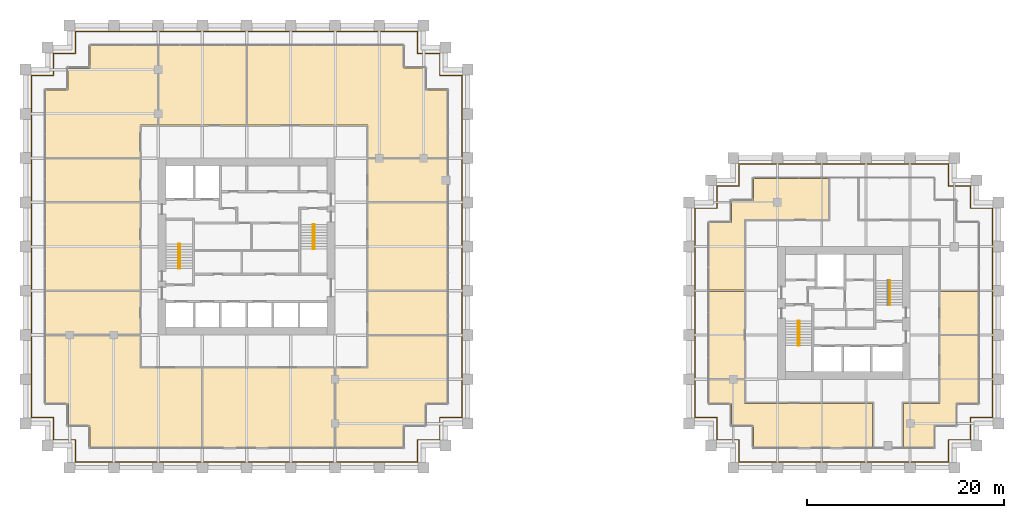
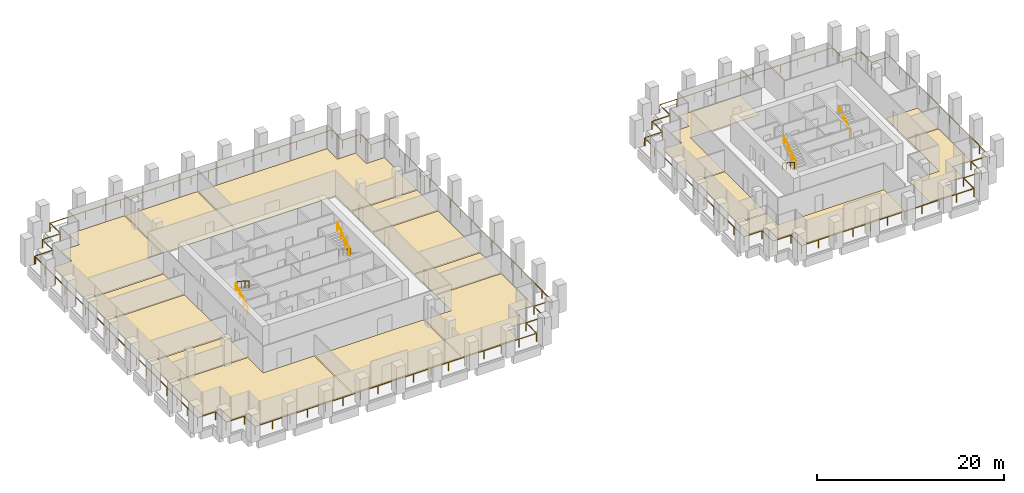
# One storey, part 55 of 56: 17 coverings, 9 railings.
"""IFC4 building model written with IfcOpenShell, lengths in metres."""

from ifc_helpers import new_model, si_unit, direction, frame, origin, origin_2d, place, context, subcontext, project, spatial, polyline, circle, outline, extrude, source, transform, mapped, material, layer, layer_set, type_object, element, save


model = new_model("IFC4")

# Units and contexts
model_context = context("Model", 3, precision=1e-05, world=origin(), true_north=direction((0.0, 1.0)))
body_context = subcontext(model_context, "Body", "Model", "MODEL_VIEW")
ifc_project = project(units=[si_unit("LENGTHUNIT", "METRE"), si_unit("AREAUNIT", "SQUARE_METRE"), si_unit("VOLUMEUNIT", "CUBIC_METRE"), si_unit("PLANEANGLEUNIT", "RADIAN"), si_unit("MASSUNIT", "GRAM", prefix="KILO")], contexts=[model_context])

# Site, building, storey
site_placement = place(None, origin())
site = spatial("IfcSite", under=ifc_project, at=site_placement, CompositionType="ELEMENT")
building_placement = place(site_placement, origin())
building = spatial("IfcBuilding", under=site, at=building_placement, Name="Altepetl Exchange Towers", CompositionType="ELEMENT")
storey_placement = place(building_placement, frame((0.0, 0.0, 79.800048828125)))
storey = spatial("IfcBuildingStorey", under=building, at=storey_placement, Name="L19", CompositionType="ELEMENT", Elevation=79.800048828125)

# Coverings
ifc_material_1 = material(Name="Carpet tile")
ifc_layer_1 = layer(ifc_material_1, 0.02001953125)
ifc_layer_set_1 = layer_set([ifc_layer_1], Name="Carpet tile")
covering_type_1 = type_object("IfcCoveringType", Name="Carpet tile floor", PredefinedType="FLOORING", material=ifc_layer_set_1)
covering_1_placement = place(storey_placement, origin())
element("IfcCovering", 1, at=covering_1_placement, inside=storey, type_object=covering_type_1, Name="Meeting room floor finish A19.01", PredefinedType="FLOORING", context=body_context, shape_type="SweptSolid", body=[
    extrude(outline(polyline([(29.0625, 40.5625), (38.637451171875, 40.5625), (38.637451171875, 44.9375), (29.0625, 44.9375), (29.0625, 40.5625)])), origin(), (0.0, 0.0, 1.0), 0.02001953125),
])
covering_2_placement = place(storey_placement, origin())
element("IfcCovering", 2, at=covering_2_placement, inside=storey, type_object=covering_type_1, Name="Open office floor finish A19.04", PredefinedType="FLOORING", context=body_context, shape_type="SweptSolid", body=[
    extrude(outline(polyline([(69.9375, 40.4375), (61.862548828125, 40.4375), (61.862548828125, 37.137451171875), (58.5625, 37.137451171875), (58.5625, 29.0625), (65.4375, 29.0625), (65.4375, 31.3125), (67.6875, 31.3125), (67.6875, 33.5625), (69.9375, 33.5625), (69.9375, 40.4375)])), origin(), (0.0, 0.0, 1.0), 0.02001953125),
])
covering_3_placement = place(storey_placement, origin())
element("IfcCovering", 3, at=covering_3_placement, inside=storey, type_object=covering_type_1, Name="Print room floor finish A19.05", PredefinedType="FLOORING", context=body_context, shape_type="SweptSolid", body=[
    extrude(outline(polyline([(69.9375, 44.9375), (61.862548828125, 44.9375), (61.862548828125, 40.5625), (69.9375, 40.5625), (69.9375, 44.9375)])), origin(), (0.0, 0.0, 1.0), 0.02001953125),
])
covering_4_placement = place(storey_placement, origin())
element("IfcCovering", 4, at=covering_4_placement, inside=storey, type_object=covering_type_1, Name="Legal office floor finish A19.06", PredefinedType="FLOORING", context=body_context, shape_type="SweptSolid", body=[
    extrude(outline(polyline([(69.9375, 53.9375), (61.862548828125, 53.9375), (61.862548828125, 45.0625), (69.9375, 45.0625), (69.9375, 53.9375)])), origin(), (0.0, 0.0, 1.0), 0.02001953125),
])
covering_5_placement = place(storey_placement, origin())
element("IfcCovering", 5, at=covering_5_placement, inside=storey, type_object=covering_type_1, Name="Print room floor finish A19.07", PredefinedType="FLOORING", context=body_context, shape_type="SweptSolid", body=[
    extrude(outline(polyline([(69.9375, 58.4375), (61.862548828125, 58.4375), (61.862548828125, 54.0625), (69.9375, 54.0625), (69.9375, 58.4375)])), origin(), (0.0, 0.0, 1.0), 0.02001953125),
])
covering_6_placement = place(storey_placement, origin())
element("IfcCovering", 6, at=covering_6_placement, inside=storey, type_object=covering_type_1, Name="Open office floor finish A19.08", PredefinedType="FLOORING", context=body_context, shape_type="SweptSolid", body=[
    extrude(outline(polyline([(49.5625, 69.9375), (49.5625, 61.862548828125), (61.862548828125, 61.862548828125), (61.862548828125, 58.5625), (69.9375, 58.5625), (69.9375, 65.4375), (67.6875, 65.4375), (67.6875, 67.6875), (65.4375, 67.6875), (65.4375, 69.9375), (49.5625, 69.9375)])), origin(), (0.0, 0.0, 1.0), 0.02001953125),
])
covering_7_placement = place(storey_placement, origin())
element("IfcCovering", 7, at=covering_7_placement, inside=storey, type_object=covering_type_1, Name="Open office floor finish A19.09", PredefinedType="FLOORING", context=body_context, shape_type="SweptSolid", body=[
    extrude(outline(polyline([(40.5625, 69.9375), (40.5625, 61.862548828125), (49.4375, 61.862548828125), (49.4375, 69.9375), (40.5625, 69.9375)])), origin(), (0.0, 0.0, 1.0), 0.02001953125),
])
covering_8_placement = place(storey_placement, origin())
element("IfcCovering", 8, at=covering_8_placement, inside=storey, type_object=covering_type_1, Name="Legal office floor finish A19.10", PredefinedType="FLOORING", context=body_context, shape_type="SweptSolid", body=[
    extrude(outline(polyline([(33.5625, 67.6875), (31.3125, 67.6875), (31.3125, 65.4375), (29.0625, 65.4375), (29.0625, 58.5625), (38.637451171875, 58.5625), (38.637451171875, 61.862548828125), (40.4375, 61.862548828125), (40.4375, 69.9375), (33.5625, 69.9375), (33.5625, 67.6875)])), origin(), (0.0, 0.0, 1.0), 0.02001953125),
])
covering_9_placement = place(storey_placement, origin())
element("IfcCovering", 9, at=covering_9_placement, inside=storey, type_object=covering_type_1, Name="Print room floor finish A19.11", PredefinedType="FLOORING", context=body_context, shape_type="SweptSolid", body=[
    extrude(outline(polyline([(29.0625, 54.0625), (38.637451171875, 54.0625), (38.637451171875, 58.4375), (29.0625, 58.4375), (29.0625, 54.0625)])), origin(), (0.0, 0.0, 1.0), 0.02001953125),
])
covering_10_placement = place(storey_placement, origin())
element("IfcCovering", 10, at=covering_10_placement, inside=storey, type_object=covering_type_1, Name="Meeting room floor finish B19.01", PredefinedType="FLOORING", context=body_context, shape_type="SweptSolid", body=[
    extrude(outline(polyline([(100.137451171875, 44.9375), (96.5625, 44.9375), (96.5625, 36.0625), (100.137451171875, 36.0625), (100.137451171875, 44.9375)])), origin(), (0.0, 0.0, 1.0), 0.02001953125),
])
covering_11_placement = place(storey_placement, origin())
element("IfcCovering", 11, at=covering_11_placement, inside=storey, type_object=covering_type_1, Name="Open office floor finish B19.02", PredefinedType="FLOORING", context=body_context, shape_type="SweptSolid", body=[
    extrude(outline(polyline([(100.137451171875, 33.53759765625), (100.137451171875, 35.9375), (96.5625, 35.9375), (96.5625, 33.5625), (98.8125, 33.5625), (98.8125, 31.3125), (101.0625, 31.3125), (101.0625, 29.0625), (113.1875, 29.0625), (113.1875, 33.53759765625), (100.137451171875, 33.53759765625)])), origin(), (0.0, 0.0, 1.0), 0.02001953125),
])
covering_12_placement = place(storey_placement, origin())
element("IfcCovering", 12, at=covering_12_placement, inside=storey, type_object=covering_type_1, Name="Print room floor finish B19.04", PredefinedType="FLOORING", context=body_context, shape_type="SweptSolid", body=[
    extrude(outline(polyline([(123.9375, 44.9375), (120.0625, 44.9375), (120.0625, 40.5625), (123.9375, 40.5625), (123.9375, 44.9375)])), origin(), (0.0, 0.0, 1.0), 0.02001953125),
])
covering_13_placement = place(storey_placement, origin())
element("IfcCovering", 13, at=covering_13_placement, inside=storey, type_object=covering_type_1, Name="Fund office floor finish B19.06", PredefinedType="FLOORING", context=body_context, shape_type="SweptSolid", body=[
    extrude(outline(polyline([(108.6875, 56.4375), (101.0625, 56.4375), (101.0625, 54.1875), (98.8125, 54.1875), (98.8125, 51.9375), (96.5625, 51.9375), (96.5625, 45.0625), (100.137451171875, 45.0625), (100.137451171875, 52.262451171875), (108.6875, 52.262451171875), (108.6875, 56.4375)])), origin(), (0.0, 0.0, 1.0), 0.02001953125),
])
ifc_material_2 = material(Name="Cantera stone", Category="masonry")
ifc_layer_2 = layer(ifc_material_2, 0.030029296875)
ifc_layer_set_2 = layer_set([ifc_layer_2], Name="Cantera stone")
covering_type_2 = type_object("IfcCoveringType", Name="Polished stone floor", PredefinedType="FLOORING", material=ifc_layer_set_2)
covering_14_placement = place(storey_placement, origin())
element("IfcCovering", 14, at=covering_14_placement, inside=storey, type_object=covering_type_2, Name="Library floor finish A19.02", PredefinedType="FLOORING", context=body_context, shape_type="SweptSolid", body=[
    extrude(outline(polyline([(44.9375, 29.0625), (44.9375, 37.137451171875), (38.637451171875, 37.137451171875), (38.637451171875, 40.4375), (29.0625, 40.4375), (29.0625, 33.5625), (31.3125, 33.5625), (31.3125, 31.3125), (33.5625, 31.3125), (33.5625, 29.0625), (44.9375, 29.0625)])), origin(), (0.0, 0.0, 1.0), 0.030029296875),
])
covering_15_placement = place(storey_placement, origin())
element("IfcCovering", 15, at=covering_15_placement, inside=storey, type_object=covering_type_2, Name="Library floor finish A19.03", PredefinedType="FLOORING", context=body_context, shape_type="SweptSolid", body=[
    extrude(outline(polyline([(58.4375, 29.0625), (58.4375, 37.137451171875), (45.0625, 37.137451171875), (45.0625, 29.0625), (58.4375, 29.0625)])), origin(), (0.0, 0.0, 1.0), 0.030029296875),
])
covering_16_placement = place(storey_placement, origin())
element("IfcCovering", 16, at=covering_16_placement, inside=storey, type_object=covering_type_2, Name="Library floor finish A19.12", PredefinedType="FLOORING", context=body_context, shape_type="SweptSolid", body=[
    extrude(outline(polyline([(29.0625, 45.0625), (38.637451171875, 45.0625), (38.637451171875, 53.9375), (29.0625, 53.9375), (29.0625, 45.0625)])), origin(), (0.0, 0.0, 1.0), 0.030029296875),
])
covering_17_placement = place(storey_placement, origin())
element("IfcCovering", 17, at=covering_17_placement, inside=storey, type_object=covering_type_2, Name="Staff club floor finish B19.03", PredefinedType="FLOORING", context=body_context, shape_type="SweptSolid", body=[
    extrude(outline(polyline([(123.9375, 33.5625), (123.9375, 40.4375), (120.0625, 40.4375), (120.0625, 33.53759765625), (116.3125, 33.53759765625), (116.3125, 29.0625), (119.4375, 29.0625), (119.4375, 31.3125), (121.6875, 31.3125), (121.6875, 33.5625), (123.9375, 33.5625)])), origin(), (0.0, 0.0, 1.0), 0.030029296875),
])

# Railings
ifc_material_3 = material(Name="Steel S355", Category="steel")
railing_type_1 = type_object("IfcRailingType", Name="Guard 1100 steel posts and rail", PredefinedType="GUARDRAIL", material=ifc_material_3)
shared_shape_1 = source(origin(), body_context, "Body", "SweptSolid", [
    extrude(circle(Radius=0.02099609375, at=origin_2d()), origin(), (0.0, 0.0, 1.0), 1.052001953125),
])
railing_1_placement = place(storey_placement, frame((27.60009765625, 66.89990234375, 0.0)))
element("IfcRailing", 18, at=railing_1_placement, inside=storey, type_object=railing_type_1, Name="Loggia guard", PredefinedType="GUARDRAIL", context=body_context, shape_type="SweptSolid", body=[
    extrude(circle(Radius=0.02392578125, at=origin_2d()), frame((0.0, 0.0, 1.076171875), z_axis=(0.0, -1.0, 0.0), x_axis=(1.0, 0.0, 0.0)), (0.0, 0.0, 1.0), 34.7998046875),
    extrude(circle(Radius=0.02392578125, at=origin_2d()), frame((0.0, -34.7998046875, 1.076171875), z_axis=(1.0, 0.0, 0.0), x_axis=(0.0, 1.0, 0.0)), (0.0, 0.0, 1.0), 2.25),
    extrude(circle(Radius=0.02392578125, at=origin_2d()), frame((2.25, -34.7998046875, 1.076171875), z_axis=(0.0, -1.0, 0.0), x_axis=(1.0, 0.0, 0.0)), (0.0, 0.0, 1.0), 2.25),
    extrude(circle(Radius=0.02392578125, at=origin_2d()), frame((2.25, -37.0498046875, 1.076171875), z_axis=(1.0, 0.0, 0.0), x_axis=(0.0, 1.0, 0.0)), (0.0, 0.0, 1.0), 2.25),
    extrude(circle(Radius=0.02392578125, at=origin_2d()), frame((4.5, -37.0498046875, 1.076171875), z_axis=(0.0, -1.0, 0.0), x_axis=(1.0, 0.0, 0.0)), (0.0, 0.0, 1.0), 2.25),
    extrude(circle(Radius=0.02392578125, at=origin_2d()), frame((4.5, -39.2998046875, 1.076171875), z_axis=(1.0, 0.0, 0.0), x_axis=(0.0, 1.0, 0.0)), (0.0, 0.0, 1.0), 34.7998046875),
    extrude(circle(Radius=0.02392578125, at=origin_2d()), frame((39.2998046875, -39.2998046875, 1.076171875), z_axis=(0.0, 1.0, 0.0), x_axis=(-1.0, 0.0, 0.0)), (0.0, 0.0, 1.0), 2.25),
    extrude(circle(Radius=0.02392578125, at=origin_2d()), frame((39.2998046875, -37.0498046875, 1.076171875), z_axis=(1.0, 0.0, 0.0), x_axis=(0.0, 1.0, 0.0)), (0.0, 0.0, 1.0), 2.25),
    extrude(circle(Radius=0.02392578125, at=origin_2d()), frame((41.5498046875, -37.0498046875, 1.076171875), z_axis=(0.0, 1.0, 0.0), x_axis=(-1.0, 0.0, 0.0)), (0.0, 0.0, 1.0), 2.25),
    extrude(circle(Radius=0.02392578125, at=origin_2d()), frame((41.5498046875, -34.7998046875, 1.076171875), z_axis=(1.0, 0.0, 0.0), x_axis=(0.0, 1.0, 0.0)), (0.0, 0.0, 1.0), 2.25),
    extrude(circle(Radius=0.02392578125, at=origin_2d()), frame((43.7998046875, -34.7998046875, 1.076171875), z_axis=(0.0, 1.0, 0.0), x_axis=(-1.0, 0.0, 0.0)), (0.0, 0.0, 1.0), 34.7998046875),
    extrude(circle(Radius=0.02392578125, at=origin_2d()), frame((43.7998046875, 0.0, 1.076171875), z_axis=(-1.0, 0.0, 0.0), x_axis=(0.0, -1.0, 0.0)), (0.0, 0.0, 1.0), 2.25),
    extrude(circle(Radius=0.02392578125, at=origin_2d()), frame((41.5498046875, 0.0, 1.076171875), z_axis=(0.0, 1.0, 0.0), x_axis=(-1.0, 0.0, 0.0)), (0.0, 0.0, 1.0), 2.25),
    extrude(circle(Radius=0.02392578125, at=origin_2d()), frame((41.5498046875, 2.25, 1.076171875), z_axis=(-1.0, 0.0, 0.0), x_axis=(0.0, -1.0, 0.0)), (0.0, 0.0, 1.0), 2.25),
    extrude(circle(Radius=0.02392578125, at=origin_2d()), frame((39.2998046875, 2.25, 1.076171875), z_axis=(0.0, 1.0, 0.0), x_axis=(-1.0, 0.0, 0.0)), (0.0, 0.0, 1.0), 2.25),
    extrude(circle(Radius=0.02392578125, at=origin_2d()), frame((39.2998046875, 4.5, 1.076171875), z_axis=(-1.0, 0.0, 0.0), x_axis=(0.0, -1.0, 0.0)), (0.0, 0.0, 1.0), 34.7998046875),
    extrude(circle(Radius=0.02392578125, at=origin_2d()), frame((4.5, 4.5, 1.076171875), z_axis=(0.0, -1.0, 0.0), x_axis=(1.0, 0.0, 0.0)), (0.0, 0.0, 1.0), 2.25),
    extrude(circle(Radius=0.02392578125, at=origin_2d()), frame((4.5, 2.25, 1.076171875), z_axis=(-1.0, 0.0, 0.0), x_axis=(0.0, -1.0, 0.0)), (0.0, 0.0, 1.0), 2.25),
    extrude(circle(Radius=0.02392578125, at=origin_2d()), frame((2.25, 2.25, 1.076171875), z_axis=(0.0, -1.0, 0.0), x_axis=(1.0, 0.0, 0.0)), (0.0, 0.0, 1.0), 2.25),
    extrude(circle(Radius=0.02392578125, at=origin_2d()), frame((2.25, 0.0, 1.076171875), z_axis=(-1.0, 0.0, 0.0), x_axis=(0.0, -1.0, 0.0)), (0.0, 0.0, 1.0), 2.150146484375),
    mapped(shared_shape_1, transform((0.0, 0.0, 0.0))),
    mapped(shared_shape_1, transform((0.0, -2.175048828125, 0.0))),
    mapped(shared_shape_1, transform((0.0, -4.35009765625, 0.0))),
    mapped(shared_shape_1, transform((0.0, -6.52490234375, 0.0))),
    mapped(shared_shape_1, transform((0.0, -8.699951171875, 0.0))),
    mapped(shared_shape_1, transform((0.0, -10.875, 0.0))),
    mapped(shared_shape_1, transform((0.0, -13.0498046875, 0.0))),
    mapped(shared_shape_1, transform((0.0, -15.224853515625, 0.0))),
    mapped(shared_shape_1, transform((0.0, -17.39990234375, 0.0))),
    mapped(shared_shape_1, transform((0.0, -19.574951171875, 0.0))),
    mapped(shared_shape_1, transform((0.0, -21.75, 0.0))),
    mapped(shared_shape_1, transform((0.0, -23.9248046875, 0.0))),
    mapped(shared_shape_1, transform((0.0, -26.099853515625, 0.0))),
    mapped(shared_shape_1, transform((0.0, -28.27490234375, 0.0))),
    mapped(shared_shape_1, transform((0.0, -30.44970703125, 0.0))),
    mapped(shared_shape_1, transform((0.0, -32.624755859375, 0.0))),
    mapped(shared_shape_1, transform((0.0, -34.7998046875, 0.0))),
    mapped(shared_shape_1, transform((2.25, -34.7998046875, 0.0))),
    mapped(shared_shape_1, transform((2.25, -37.0498046875, 0.0))),
    mapped(shared_shape_1, transform((4.5, -37.0498046875, 0.0))),
    mapped(shared_shape_1, transform((4.5, -39.2998046875, 0.0))),
    mapped(shared_shape_1, transform((6.675048828125, -39.2998046875, 0.0))),
    mapped(shared_shape_1, transform((8.85009765625, -39.2998046875, 0.0))),
    mapped(shared_shape_1, transform((11.02490234375, -39.2998046875, 0.0))),
    mapped(shared_shape_1, transform((13.199951171875, -39.2998046875, 0.0))),
    mapped(shared_shape_1, transform((15.375, -39.2998046875, 0.0))),
    mapped(shared_shape_1, transform((17.5498046875, -39.2998046875, 0.0))),
    mapped(shared_shape_1, transform((19.724853515625, -39.2998046875, 0.0))),
    mapped(shared_shape_1, transform((21.89990234375, -39.2998046875, 0.0))),
    mapped(shared_shape_1, transform((24.074951171875, -39.2998046875, 0.0))),
    mapped(shared_shape_1, transform((26.25, -39.2998046875, 0.0))),
    mapped(shared_shape_1, transform((28.4248046875, -39.2998046875, 0.0))),
    mapped(shared_shape_1, transform((30.599853515625, -39.2998046875, 0.0))),
    mapped(shared_shape_1, transform((32.77490234375, -39.2998046875, 0.0))),
    mapped(shared_shape_1, transform((34.94970703125, -39.2998046875, 0.0))),
    mapped(shared_shape_1, transform((37.124755859375, -39.2998046875, 0.0))),
    mapped(shared_shape_1, transform((39.2998046875, -39.2998046875, 0.0))),
    mapped(shared_shape_1, transform((39.2998046875, -37.0498046875, 0.0))),
    mapped(shared_shape_1, transform((41.5498046875, -37.0498046875, 0.0))),
    mapped(shared_shape_1, transform((41.5498046875, -34.7998046875, 0.0))),
    mapped(shared_shape_1, transform((43.7998046875, -34.7998046875, 0.0))),
    mapped(shared_shape_1, transform((43.7998046875, -32.624755859375, 0.0))),
    mapped(shared_shape_1, transform((43.7998046875, -30.44970703125, 0.0))),
    mapped(shared_shape_1, transform((43.7998046875, -28.27490234375, 0.0))),
    mapped(shared_shape_1, transform((43.7998046875, -26.099853515625, 0.0))),
    mapped(shared_shape_1, transform((43.7998046875, -23.9248046875, 0.0))),
    mapped(shared_shape_1, transform((43.7998046875, -21.75, 0.0))),
    mapped(shared_shape_1, transform((43.7998046875, -19.574951171875, 0.0))),
    mapped(shared_shape_1, transform((43.7998046875, -17.39990234375, 0.0))),
    mapped(shared_shape_1, transform((43.7998046875, -15.224853515625, 0.0))),
    mapped(shared_shape_1, transform((43.7998046875, -13.0498046875, 0.0))),
    mapped(shared_shape_1, transform((43.7998046875, -10.875, 0.0))),
    mapped(shared_shape_1, transform((43.7998046875, -8.699951171875, 0.0))),
    mapped(shared_shape_1, transform((43.7998046875, -6.52490234375, 0.0))),
    mapped(shared_shape_1, transform((43.7998046875, -4.35009765625, 0.0))),
    mapped(shared_shape_1, transform((43.7998046875, -2.175048828125, 0.0))),
    mapped(shared_shape_1, transform((43.7998046875, 0.0, 0.0))),
    mapped(shared_shape_1, transform((41.5498046875, 0.0, 0.0))),
    mapped(shared_shape_1, transform((41.5498046875, 2.25, 0.0))),
    mapped(shared_shape_1, transform((39.2998046875, 2.25, 0.0))),
    mapped(shared_shape_1, transform((39.2998046875, 4.5, 0.0))),
    mapped(shared_shape_1, transform((37.124755859375, 4.5, 0.0))),
    mapped(shared_shape_1, transform((34.94970703125, 4.5, 0.0))),
    mapped(shared_shape_1, transform((32.77490234375, 4.5, 0.0))),
    mapped(shared_shape_1, transform((30.599853515625, 4.5, 0.0))),
    mapped(shared_shape_1, transform((28.4248046875, 4.5, 0.0))),
    mapped(shared_shape_1, transform((26.25, 4.5, 0.0))),
    mapped(shared_shape_1, transform((24.074951171875, 4.5, 0.0))),
    mapped(shared_shape_1, transform((21.89990234375, 4.5, 0.0))),
    mapped(shared_shape_1, transform((19.724853515625, 4.5, 0.0))),
    mapped(shared_shape_1, transform((17.5498046875, 4.5, 0.0))),
    mapped(shared_shape_1, transform((15.375, 4.5, 0.0))),
    mapped(shared_shape_1, transform((13.199951171875, 4.5, 0.0))),
    mapped(shared_shape_1, transform((11.02490234375, 4.5, 0.0))),
    mapped(shared_shape_1, transform((8.85009765625, 4.5, 0.0))),
    mapped(shared_shape_1, transform((6.675048828125, 4.5, 0.0))),
    mapped(shared_shape_1, transform((4.5, 4.5, 0.0))),
    mapped(shared_shape_1, transform((4.5, 2.25, 0.0))),
    mapped(shared_shape_1, transform((2.25, 2.25, 0.0))),
    mapped(shared_shape_1, transform((2.25, 0.0, 0.0))),
    mapped(shared_shape_1, transform((0.099853515625, 0.0, 0.0))),
])
railing_2_placement = place(storey_placement, frame((95.10009765625, 53.39990234375, 0.0)))
element("IfcRailing", 19, at=railing_2_placement, inside=storey, type_object=railing_type_1, Name="Loggia guard", PredefinedType="GUARDRAIL", context=body_context, shape_type="SweptSolid", body=[
    extrude(circle(Radius=0.02392578125, at=origin_2d()), frame((0.0, 0.0, 1.076171875), z_axis=(0.0, -1.0, 0.0), x_axis=(1.0, 0.0, 0.0)), (0.0, 0.0, 1.0), 21.2998046875),
    extrude(circle(Radius=0.02392578125, at=origin_2d()), frame((0.0, -21.2998046875, 1.076171875), z_axis=(1.0, 0.0, 0.0), x_axis=(0.0, 1.0, 0.0)), (0.0, 0.0, 1.0), 2.25),
    extrude(circle(Radius=0.02392578125, at=origin_2d()), frame((2.25, -21.2998046875, 1.076171875), z_axis=(0.0, -1.0, 0.0), x_axis=(1.0, 0.0, 0.0)), (0.0, 0.0, 1.0), 2.25),
    extrude(circle(Radius=0.02392578125, at=origin_2d()), frame((2.25, -23.5498046875, 1.076171875), z_axis=(1.0, 0.0, 0.0), x_axis=(0.0, 1.0, 0.0)), (0.0, 0.0, 1.0), 2.25),
    extrude(circle(Radius=0.02392578125, at=origin_2d()), frame((4.5, -23.5498046875, 1.076171875), z_axis=(0.0, -1.0, 0.0), x_axis=(1.0, 0.0, 0.0)), (0.0, 0.0, 1.0), 2.25),
    extrude(circle(Radius=0.02392578125, at=origin_2d()), frame((4.5, -25.7998046875, 1.076171875), z_axis=(1.0, 0.0, 0.0), x_axis=(0.0, 1.0, 0.0)), (0.0, 0.0, 1.0), 21.2998046875),
    extrude(circle(Radius=0.02392578125, at=origin_2d()), frame((25.7998046875, -25.7998046875, 1.076171875), z_axis=(0.0, 1.0, 0.0), x_axis=(-1.0, 0.0, 0.0)), (0.0, 0.0, 1.0), 2.25),
    extrude(circle(Radius=0.02392578125, at=origin_2d()), frame((25.7998046875, -23.5498046875, 1.076171875), z_axis=(1.0, 0.0, 0.0), x_axis=(0.0, 1.0, 0.0)), (0.0, 0.0, 1.0), 2.25),
    extrude(circle(Radius=0.02392578125, at=origin_2d()), frame((28.0498046875, -23.5498046875, 1.076171875), z_axis=(0.0, 1.0, 0.0), x_axis=(-1.0, 0.0, 0.0)), (0.0, 0.0, 1.0), 2.25),
    extrude(circle(Radius=0.02392578125, at=origin_2d()), frame((28.0498046875, -21.2998046875, 1.076171875), z_axis=(1.0, 0.0, 0.0), x_axis=(0.0, 1.0, 0.0)), (0.0, 0.0, 1.0), 2.25),
    extrude(circle(Radius=0.02392578125, at=origin_2d()), frame((30.2998046875, -21.2998046875, 1.076171875), z_axis=(0.0, 1.0, 0.0), x_axis=(-1.0, 0.0, 0.0)), (0.0, 0.0, 1.0), 21.2998046875),
    extrude(circle(Radius=0.02392578125, at=origin_2d()), frame((30.2998046875, 0.0, 1.076171875), z_axis=(-1.0, 0.0, 0.0), x_axis=(0.0, -1.0, 0.0)), (0.0, 0.0, 1.0), 2.25),
    extrude(circle(Radius=0.02392578125, at=origin_2d()), frame((28.0498046875, 0.0, 1.076171875), z_axis=(0.0, 1.0, 0.0), x_axis=(-1.0, 0.0, 0.0)), (0.0, 0.0, 1.0), 2.25),
    extrude(circle(Radius=0.02392578125, at=origin_2d()), frame((28.0498046875, 2.25, 1.076171875), z_axis=(-1.0, 0.0, 0.0), x_axis=(0.0, -1.0, 0.0)), (0.0, 0.0, 1.0), 2.25),
    extrude(circle(Radius=0.02392578125, at=origin_2d()), frame((25.7998046875, 2.25, 1.076171875), z_axis=(0.0, 1.0, 0.0), x_axis=(-1.0, 0.0, 0.0)), (0.0, 0.0, 1.0), 2.25),
    extrude(circle(Radius=0.02392578125, at=origin_2d()), frame((25.7998046875, 4.5, 1.076171875), z_axis=(-1.0, 0.0, 0.0), x_axis=(0.0, -1.0, 0.0)), (0.0, 0.0, 1.0), 21.2998046875),
    extrude(circle(Radius=0.02392578125, at=origin_2d()), frame((4.5, 4.5, 1.076171875), z_axis=(0.0, -1.0, 0.0), x_axis=(1.0, 0.0, 0.0)), (0.0, 0.0, 1.0), 2.25),
    extrude(circle(Radius=0.02392578125, at=origin_2d()), frame((4.5, 2.25, 1.076171875), z_axis=(-1.0, 0.0, 0.0), x_axis=(0.0, -1.0, 0.0)), (0.0, 0.0, 1.0), 2.25),
    extrude(circle(Radius=0.02392578125, at=origin_2d()), frame((2.25, 2.25, 1.076171875), z_axis=(0.0, -1.0, 0.0), x_axis=(1.0, 0.0, 0.0)), (0.0, 0.0, 1.0), 2.25),
    extrude(circle(Radius=0.02392578125, at=origin_2d()), frame((2.25, 0.0, 1.076171875), z_axis=(-1.0, 0.0, 0.0), x_axis=(0.0, -1.0, 0.0)), (0.0, 0.0, 1.0), 2.150146484375),
    mapped(shared_shape_1, transform((0.0, 0.0, 0.0))),
    mapped(shared_shape_1, transform((0.0, -2.1298828125, 0.0))),
    mapped(shared_shape_1, transform((0.0, -4.260009765625, 0.0))),
    mapped(shared_shape_1, transform((0.0, -6.389892578125, 0.0))),
    mapped(shared_shape_1, transform((0.0, -8.52001953125, 0.0))),
    mapped(shared_shape_1, transform((0.0, -10.64990234375, 0.0))),
    mapped(shared_shape_1, transform((0.0, -12.77978515625, 0.0))),
    mapped(shared_shape_1, transform((0.0, -14.909912109375, 0.0))),
    mapped(shared_shape_1, transform((0.0, -17.039794921875, 0.0))),
    mapped(shared_shape_1, transform((0.0, -19.169921875, 0.0))),
    mapped(shared_shape_1, transform((0.0, -21.2998046875, 0.0))),
    mapped(shared_shape_1, transform((2.25, -21.2998046875, 0.0))),
    mapped(shared_shape_1, transform((2.25, -23.5498046875, 0.0))),
    mapped(shared_shape_1, transform((4.5, -23.5498046875, 0.0))),
    mapped(shared_shape_1, transform((4.5, -25.7998046875, 0.0))),
    mapped(shared_shape_1, transform((6.6298828125, -25.7998046875, 0.0))),
    mapped(shared_shape_1, transform((8.760009765625, -25.7998046875, 0.0))),
    mapped(shared_shape_1, transform((10.889892578125, -25.7998046875, 0.0))),
    mapped(shared_shape_1, transform((13.02001953125, -25.7998046875, 0.0))),
    mapped(shared_shape_1, transform((15.14990234375, -25.7998046875, 0.0))),
    mapped(shared_shape_1, transform((17.27978515625, -25.7998046875, 0.0))),
    mapped(shared_shape_1, transform((19.409912109375, -25.7998046875, 0.0))),
    mapped(shared_shape_1, transform((21.539794921875, -25.7998046875, 0.0))),
    mapped(shared_shape_1, transform((23.669921875, -25.7998046875, 0.0))),
    mapped(shared_shape_1, transform((25.7998046875, -25.7998046875, 0.0))),
    mapped(shared_shape_1, transform((25.7998046875, -23.5498046875, 0.0))),
    mapped(shared_shape_1, transform((28.0498046875, -23.5498046875, 0.0))),
    mapped(shared_shape_1, transform((28.0498046875, -21.2998046875, 0.0))),
    mapped(shared_shape_1, transform((30.2998046875, -21.2998046875, 0.0))),
    mapped(shared_shape_1, transform((30.2998046875, -19.169921875, 0.0))),
    mapped(shared_shape_1, transform((30.2998046875, -17.039794921875, 0.0))),
    mapped(shared_shape_1, transform((30.2998046875, -14.909912109375, 0.0))),
    mapped(shared_shape_1, transform((30.2998046875, -12.77978515625, 0.0))),
    mapped(shared_shape_1, transform((30.2998046875, -10.64990234375, 0.0))),
    mapped(shared_shape_1, transform((30.2998046875, -8.52001953125, 0.0))),
    mapped(shared_shape_1, transform((30.2998046875, -6.389892578125, 0.0))),
    mapped(shared_shape_1, transform((30.2998046875, -4.260009765625, 0.0))),
    mapped(shared_shape_1, transform((30.2998046875, -2.1298828125, 0.0))),
    mapped(shared_shape_1, transform((30.2998046875, 0.0, 0.0))),
    mapped(shared_shape_1, transform((28.0498046875, 0.0, 0.0))),
    mapped(shared_shape_1, transform((28.0498046875, 2.25, 0.0))),
    mapped(shared_shape_1, transform((25.7998046875, 2.25, 0.0))),
    mapped(shared_shape_1, transform((25.7998046875, 4.5, 0.0))),
    mapped(shared_shape_1, transform((23.669921875, 4.5, 0.0))),
    mapped(shared_shape_1, transform((21.539794921875, 4.5, 0.0))),
    mapped(shared_shape_1, transform((19.409912109375, 4.5, 0.0))),
    mapped(shared_shape_1, transform((17.27978515625, 4.5, 0.0))),
    mapped(shared_shape_1, transform((15.14990234375, 4.5, 0.0))),
    mapped(shared_shape_1, transform((13.02001953125, 4.5, 0.0))),
    mapped(shared_shape_1, transform((10.889892578125, 4.5, 0.0))),
    mapped(shared_shape_1, transform((8.760009765625, 4.5, 0.0))),
    mapped(shared_shape_1, transform((6.6298828125, 4.5, 0.0))),
    mapped(shared_shape_1, transform((4.5, 4.5, 0.0))),
    mapped(shared_shape_1, transform((4.5, 2.25, 0.0))),
    mapped(shared_shape_1, transform((2.25, 2.25, 0.0))),
    mapped(shared_shape_1, transform((2.25, 0.0, 0.0))),
    mapped(shared_shape_1, transform((0.099853515625, 0.0, 0.0))),
])
ifc_material_4 = material(Name="Steel", Category="steel")
railing_type_2 = type_object("IfcRailingType", Name="Stair handrail 50 steel tube", PredefinedType="HANDRAIL", material=ifc_material_4)
shared_shape_2 = source(origin(), body_context, "Body", "SweptSolid", [
    extrude(circle(Radius=0.02099609375, at=origin_2d()), origin(), (0.0, 0.0, 1.0), 0.851806640625),
])
railing_3_placement = place(storey_placement, frame((42.570068359375, 47.25, 0.179931640625)))
element("IfcRailing", 20, at=railing_3_placement, inside=storey, type_object=railing_type_2, Name="Stair handrail", PredefinedType="HANDRAIL", context=body_context, shape_type="SweptSolid", body=[
    extrude(circle(Radius=0.02392578125, at=origin_2d()), frame((0.0, 0.0, 0.8759765625), z_axis=(0.0, 0.841162588446, 0.540782303519), x_axis=(-1.0, 0.0, 0.0)), (0.0, 0.0, 1.0), 2.995849609375),
    mapped(shared_shape_2, transform((0.0, 0.0, 0.0))),
    mapped(shared_shape_2, transform((0.0, 0.840087890625, 0.5400390625))),
    mapped(shared_shape_2, transform((0.0, 1.679931640625, 1.080078125))),
    mapped(shared_shape_2, transform((0.0, 2.52001953125, 1.6201171875))),
])
railing_4_placement = place(storey_placement, frame((42.72998046875, 49.77001953125, 1.97998046875)))
element("IfcRailing", 21, at=railing_4_placement, inside=storey, type_object=railing_type_2, Name="Stair handrail", PredefinedType="HANDRAIL", context=body_context, shape_type="SweptSolid", body=[
    extrude(circle(Radius=0.02392578125, at=origin_2d()), frame((0.0, 0.0, 0.8759765625), z_axis=(0.0, -0.841199657755, 0.540724639528), x_axis=(1.0, 0.0, 0.0)), (0.0, 0.0, 1.0), 2.995849609375),
    mapped(shared_shape_2, transform((0.0, 0.0, 0.0))),
    mapped(shared_shape_2, transform((0.0, -0.840087890625, 0.5400390625))),
    mapped(shared_shape_2, transform((0.0, -1.679931640625, 1.079833984375))),
    mapped(shared_shape_2, transform((0.0, -2.52001953125, 1.619873046875))),
])
railing_5_placement = place(storey_placement, frame((56.429931640625, 51.75, 0.179931640625)))
element("IfcRailing", 22, at=railing_5_placement, inside=storey, type_object=railing_type_2, Name="Stair handrail", PredefinedType="HANDRAIL", context=body_context, shape_type="SweptSolid", body=[
    extrude(circle(Radius=0.02392578125, at=origin_2d()), frame((0.0, 0.0, 0.8759765625), z_axis=(0.0, -0.841162588446, 0.540782303519), x_axis=(1.0, 0.0, 0.0)), (0.0, 0.0, 1.0), 2.995849609375),
    mapped(shared_shape_2, transform((0.0, 0.0, 0.0))),
    mapped(shared_shape_2, transform((0.0, -0.840087890625, 0.5400390625))),
    mapped(shared_shape_2, transform((0.0, -1.679931640625, 1.080078125))),
    mapped(shared_shape_2, transform((0.0, -2.52001953125, 1.6201171875))),
])
railing_6_placement = place(storey_placement, frame((56.27001953125, 49.22998046875, 1.97998046875)))
element("IfcRailing", 23, at=railing_6_placement, inside=storey, type_object=railing_type_2, Name="Stair handrail", PredefinedType="HANDRAIL", context=body_context, shape_type="SweptSolid", body=[
    extrude(circle(Radius=0.02392578125, at=origin_2d()), frame((0.0, 0.0, 0.8759765625), z_axis=(0.0, 0.841199657755, 0.540724639528), x_axis=(-1.0, 0.0, 0.0)), (0.0, 0.0, 1.0), 2.995849609375),
    mapped(shared_shape_2, transform((0.0, 0.0, 0.0))),
    mapped(shared_shape_2, transform((0.0, 0.840087890625, 0.5400390625))),
    mapped(shared_shape_2, transform((0.0, 1.679931640625, 1.079833984375))),
    mapped(shared_shape_2, transform((0.0, 2.52001953125, 1.619873046875))),
])
railing_7_placement = place(storey_placement, frame((105.570068359375, 41.949951171875, 0.179931640625)))
element("IfcRailing", 24, at=railing_7_placement, inside=storey, type_object=railing_type_2, Name="Stair handrail", PredefinedType="HANDRAIL", context=body_context, shape_type="SweptSolid", body=[
    extrude(circle(Radius=0.02392578125, at=origin_2d()), frame((0.0, 0.0, 0.8759765625), z_axis=(0.0, -0.841162588446, 0.540782303519), x_axis=(1.0, 0.0, 0.0)), (0.0, 0.0, 1.0), 2.995849609375),
    mapped(shared_shape_2, transform((0.0, 0.0, 0.0))),
    mapped(shared_shape_2, transform((0.0, -0.840087890625, 0.5400390625))),
    mapped(shared_shape_2, transform((0.0, -1.679931640625, 1.080078125))),
    mapped(shared_shape_2, transform((0.0, -2.52001953125, 1.6201171875))),
])
railing_8_placement = place(storey_placement, frame((105.72998046875, 39.429931640625, 1.97998046875)))
element("IfcRailing", 25, at=railing_8_placement, inside=storey, type_object=railing_type_2, Name="Stair handrail", PredefinedType="HANDRAIL", context=body_context, shape_type="SweptSolid", body=[
    extrude(circle(Radius=0.02392578125, at=origin_2d()), frame((0.0, 0.0, 0.8759765625), z_axis=(0.0, 0.841199657755, 0.540724639528), x_axis=(-1.0, 0.0, 0.0)), (0.0, 0.0, 1.0), 2.995849609375),
    mapped(shared_shape_2, transform((0.0, 0.0, 0.0))),
    mapped(shared_shape_2, transform((0.0, 0.840087890625, 0.5400390625))),
    mapped(shared_shape_2, transform((0.0, 1.679931640625, 1.079833984375))),
    mapped(shared_shape_2, transform((0.0, 2.52001953125, 1.619873046875))),
])
railing_9_placement = place(storey_placement, frame((114.929931640625, 43.550048828125, 0.179931640625)))
element("IfcRailing", 26, at=railing_9_placement, inside=storey, type_object=railing_type_2, Name="Stair handrail", PredefinedType="HANDRAIL", context=body_context, shape_type="SweptSolid", body=[
    extrude(circle(Radius=0.02392578125, at=origin_2d()), frame((0.0, 0.0, 0.8759765625), z_axis=(0.0, 0.841162588446, 0.540782303519), x_axis=(-1.0, 0.0, 0.0)), (0.0, 0.0, 1.0), 2.995849609375),
    mapped(shared_shape_2, transform((0.0, 0.0, 0.0))),
    mapped(shared_shape_2, transform((0.0, 0.840087890625, 0.5400390625))),
    mapped(shared_shape_2, transform((0.0, 1.679931640625, 1.080078125))),
    mapped(shared_shape_2, transform((0.0, 2.52001953125, 1.6201171875))),
])

save(model, "model.ifc")
